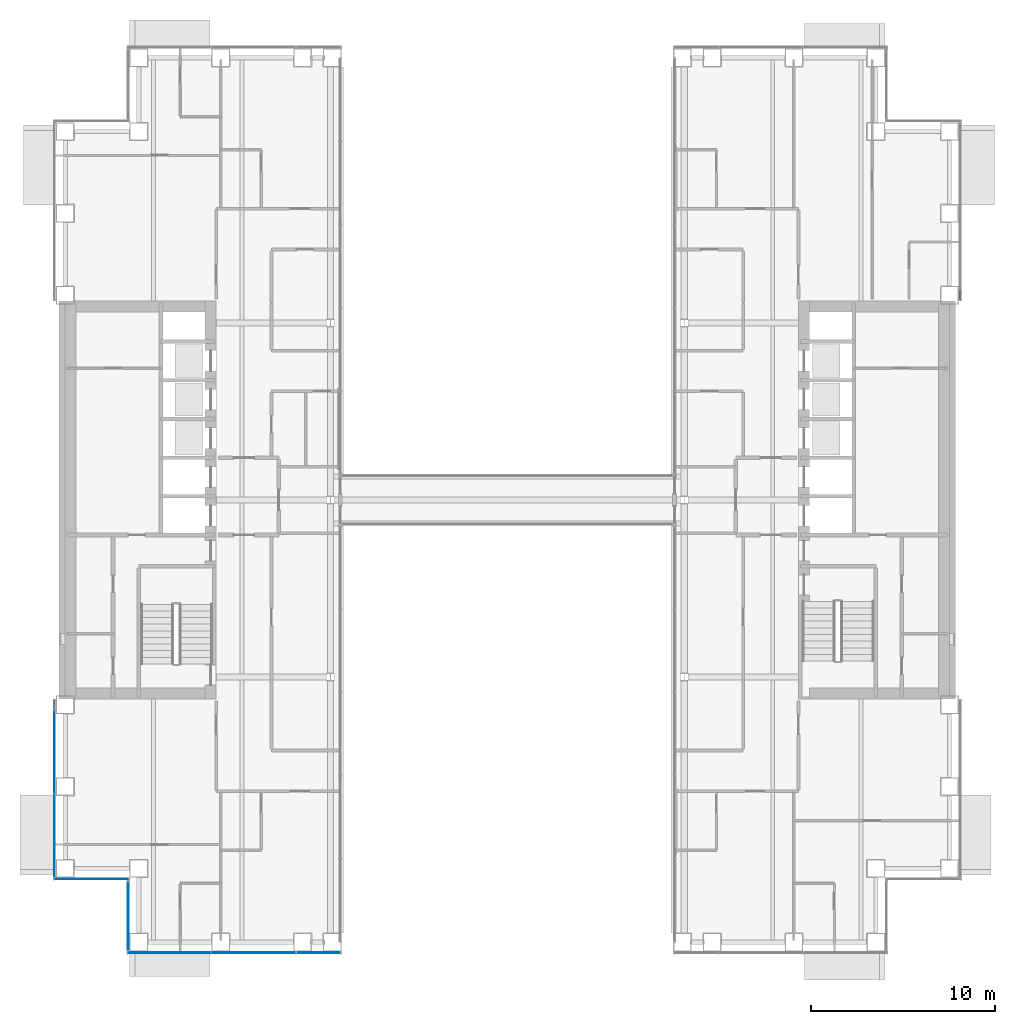
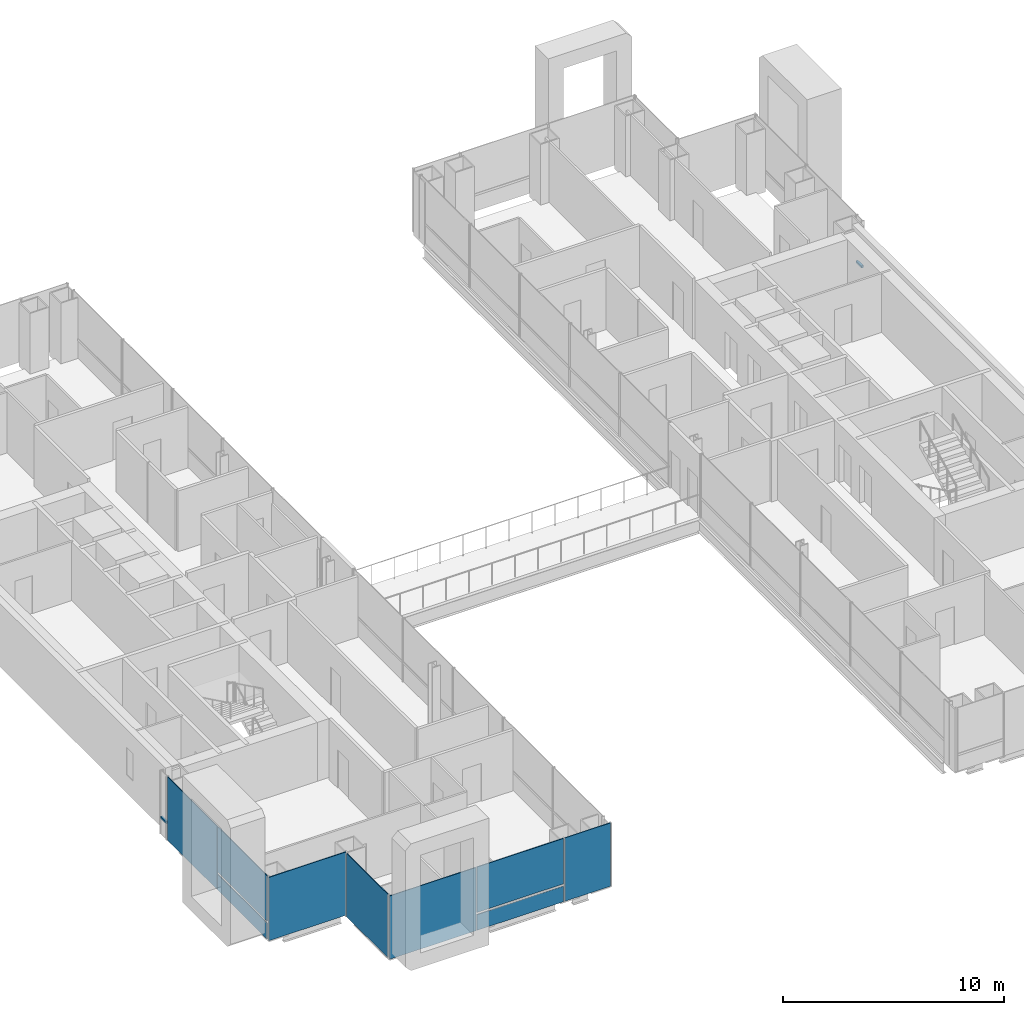
# One storey, part 8 of 21: 9 plates, 2 members, 5 elements without a shape of their own.
"""IFC4 building model written with IfcOpenShell, lengths in metres."""

from ifc_helpers import new_model, si_unit, direction, frame, origin, origin_2d, place, context, subcontext, project, spatial, rectangle, extrude, material, layer, layer_set, material_profile, profile_set, type_object, element, aggregate, save


model = new_model("IFC4")

# Units and contexts
model_context = context("Model", 3, precision=1e-05, world=origin(), true_north=direction((0.0, 1.0)))
body_context = subcontext(model_context, "Body", "Model", "MODEL_VIEW")
ifc_project = project(units=[si_unit("LENGTHUNIT", "METRE"), si_unit("AREAUNIT", "SQUARE_METRE"), si_unit("VOLUMEUNIT", "CUBIC_METRE"), si_unit("PLANEANGLEUNIT", "RADIAN"), si_unit("MASSUNIT", "GRAM", prefix="KILO")], contexts=[model_context])

# Site, building, storey
site_placement = place(None, origin())
site = spatial("IfcSite", under=ifc_project, at=site_placement, CompositionType="ELEMENT")
building_placement = place(site_placement, origin())
building = spatial("IfcBuilding", under=site, at=building_placement, Name="Cobrizo Arcos Hotel Tower", CompositionType="ELEMENT")
storey_placement = place(building_placement, frame((0.0, 0.0, 74.0)))
storey = spatial("IfcBuildingStorey", under=building, at=storey_placement, Name="L17", CompositionType="ELEMENT", Elevation=74.0)

# Curtain wall, member
ifc_material_1 = material(Name="Aluminium 6063-T6 anodised bronze", Category="aluminium")
curtain_wall_type = type_object("IfcCurtainWallType", Name="CW-A guest facade", PredefinedType="NOTDEFINED", material=ifc_material_1)
curtain_wall_1_placement = place(storey_placement, origin())
curtain_wall_1 = element("IfcCurtainWall", 1, at=curtain_wall_1_placement, inside=storey, type_object=curtain_wall_type, Name="CW-A L17 E face", PredefinedType="NOTDEFINED")
ifc_material_profile = material_profile(ifc_material_1, rectangle(XDim=0.10009765625, YDim=0.1201171875, at=origin_2d()), Name="CW-A transom 120x100")
ifc_profile_set = profile_set([ifc_material_profile], Name="Aluminium 6063-T6 anodised bronze")
member_type = type_object("IfcMemberType", Name="CW-A transom 120x100", PredefinedType="USERDEFINED", material=ifc_profile_set)
member_1_placement = place(storey_placement, frame((24.574951171875, 10.860107421875, 0.929931640625), z_axis=(0.0, 1.0, 0.0), x_axis=(-1.0, 0.0, 0.0)))
member_1 = element("IfcMember", 2, at=member_1_placement, type_object=member_type, Name="CW-A transom 728", ObjectType="TRANSOM", PredefinedType="USERDEFINED", context=body_context, shape_type="SweptSolid", body=[
    extrude(rectangle(XDim=0.10009765625, YDim=0.1201171875, at=origin_2d()), origin(), (0.0, 0.0, 1.0), 0.498779296875),
])
aggregate(curtain_wall_1, [member_1])

curtain_wall_2_placement = place(storey_placement, origin())
curtain_wall_2 = element("IfcCurtainWall", 3, at=curtain_wall_2_placement, inside=storey, type_object=curtain_wall_type, Name="CW-A L17 W face", PredefinedType="NOTDEFINED")
member_2_placement = place(storey_placement, frame((-24.574951171875, -10.860107421875, 0.929931640625), z_axis=(0.0, -1.0, 0.0), x_axis=(1.0, 0.0, 0.0)))
member_2 = element("IfcMember", 4, at=member_2_placement, type_object=member_type, Name="CW-A transom 744", ObjectType="TRANSOM", PredefinedType="USERDEFINED", context=body_context, shape_type="SweptSolid", body=[
    extrude(rectangle(XDim=0.10009765625, YDim=0.1201171875, at=origin_2d()), origin(), (0.0, 0.0, 1.0), 0.498779296875),
])

# Curtain wall, plate
curtain_wall_3_placement = place(storey_placement, origin())
curtain_wall_3 = element("IfcCurtainWall", 5, at=curtain_wall_3_placement, inside=storey, type_object=curtain_wall_type, Name="CW-A L17 S face", PredefinedType="NOTDEFINED")
ifc_material_2 = material(Name="Glass clear laminated low-e", Category="glass")
ifc_layer_1 = layer(ifc_material_2, 0.0400390625)
ifc_layer_set_1 = layer_set([ifc_layer_1], Name="CW-A glass panel")
plate_type_1 = type_object("IfcPlateType", Name="CW-A glass panel", PredefinedType="CURTAIN_PANEL", material=ifc_layer_set_1)
plate_1_placement = place(storey_placement, frame((-13.7666015625, -24.574951171875, 0.990234375), z_axis=(0.0, 0.0, 1.0), x_axis=(1.0, 0.0, 0.0)))
plate_1 = element("IfcPlate", 6, at=plate_1_placement, type_object=plate_type_1, Name="CW-A glass panel 718", PredefinedType="CURTAIN_PANEL", context=body_context, shape_type="SweptSolid", body=[
    extrude(rectangle(XDim=4.52880859375, YDim=0.0400390625, at=origin_2d()), origin(), (0.0, 0.0, 1.0), 2.510009765625),
])

# Plate
plate_2_placement = place(storey_placement, frame((-24.574951171875, -18.207275390625, 0.990234375), z_axis=(0.0, 0.0, 1.0), x_axis=(0.0, -1.0, 0.0)))
plate_2 = element("IfcPlate", 7, at=plate_2_placement, type_object=plate_type_1, Name="CW-A glass panel 746", PredefinedType="CURTAIN_PANEL", context=body_context, shape_type="SweptSolid", body=[
    extrude(rectangle(XDim=4.465576171875, YDim=0.0400390625, at=origin_2d()), origin(), (0.0, 0.0, 1.0), 2.510009765625),
])

ifc_material_3 = material(Name="Aluminium composite panel pale metal", Category="aluminium")
ifc_layer_2 = layer(ifc_material_3, 0.0400390625)
ifc_layer_set_2 = layer_set([ifc_layer_2], Name="CW-A spandrel panel")
plate_type_2 = type_object("IfcPlateType", Name="CW-A spandrel panel", PredefinedType="CURTAIN_PANEL", material=ifc_layer_set_2)
plate_3_placement = place(storey_placement, frame((-18.340576171875, -24.574951171875, 0.0), z_axis=(0.0, 0.0, 1.0), x_axis=(1.0, 0.0, 0.0)))
plate_3 = element("IfcPlate", 8, at=plate_3_placement, type_object=plate_type_2, Name="CW-A spandrel panel 717", PredefinedType="CURTAIN_PANEL", context=body_context, shape_type="SweptSolid", body=[
    extrude(rectangle(XDim=4.498779296875, YDim=0.0400390625, at=origin_2d()), origin(), (0.0, 0.0, 1.0), 3.5),
])

plate_4_placement = place(storey_placement, frame((-13.7666015625, -24.574951171875, 0.0), z_axis=(0.0, 0.0, 1.0), x_axis=(1.0, 0.0, 0.0)))
plate_4 = element("IfcPlate", 9, at=plate_4_placement, type_object=plate_type_2, Name="CW-A spandrel panel 718", PredefinedType="CURTAIN_PANEL", context=body_context, shape_type="SweptSolid", body=[
    extrude(rectangle(XDim=4.52880859375, YDim=0.0400390625, at=origin_2d()), origin(), (0.0, 0.0, 1.0), 0.8701171875),
])

plate_5_placement = place(storey_placement, frame((-10.251220703125, -24.574951171875, 0.0), z_axis=(0.0, 0.0, 1.0), x_axis=(1.0, 0.0, 0.0)))
plate_5 = element("IfcPlate", 10, at=plate_5_placement, type_object=plate_type_2, Name="CW-A spandrel panel 719", PredefinedType="CURTAIN_PANEL", context=body_context, shape_type="SweptSolid", body=[
    extrude(rectangle(XDim=2.38232421875, YDim=0.0400390625, at=origin_2d()), origin(), (0.0, 0.0, 1.0), 3.5),
])

aggregate(curtain_wall_3, [plate_3, plate_4, plate_1, plate_5])

plate_6_placement = place(storey_placement, frame((-24.574951171875, -13.666748046875, 0.0), z_axis=(0.0, 0.0, 1.0), x_axis=(0.0, -1.0, 0.0)))
plate_6 = element("IfcPlate", 11, at=plate_6_placement, type_object=plate_type_2, Name="CW-A spandrel panel 745", PredefinedType="CURTAIN_PANEL", context=body_context, shape_type="SweptSolid", body=[
    extrude(rectangle(XDim=4.49560546875, YDim=0.0400390625, at=origin_2d()), origin(), (0.0, 0.0, 1.0), 3.5),
])

plate_7_placement = place(storey_placement, frame((-24.574951171875, -18.207275390625, 0.0), z_axis=(0.0, 0.0, 1.0), x_axis=(0.0, -1.0, 0.0)))
plate_7 = element("IfcPlate", 12, at=plate_7_placement, type_object=plate_type_2, Name="CW-A spandrel panel 746", PredefinedType="CURTAIN_PANEL", context=body_context, shape_type="SweptSolid", body=[
    extrude(rectangle(XDim=4.465576171875, YDim=0.0400390625, at=origin_2d()), origin(), (0.0, 0.0, 1.0), 0.8701171875),
])

aggregate(curtain_wall_2, [member_2, plate_6, plate_7, plate_2])

# Curtain wall, plate
curtain_wall_4_placement = place(storey_placement, origin())
curtain_wall_4 = element("IfcCurtainWall", 13, at=curtain_wall_4_placement, inside=storey, type_object=curtain_wall_type, Name="CW-A L17 S face", PredefinedType="NOTDEFINED")
plate_8_placement = place(storey_placement, frame((-22.574951171875, -20.574951171875, 0.0), z_axis=(0.0, 0.0, 1.0), x_axis=(1.0, 0.0, 0.0)))
plate_8 = element("IfcPlate", 14, at=plate_8_placement, type_object=plate_type_2, Name="CW-A spandrel panel 747", PredefinedType="CURTAIN_PANEL", context=body_context, shape_type="SweptSolid", body=[
    extrude(rectangle(XDim=4.030029296875, YDim=0.0400390625, at=origin_2d()), origin(), (0.0, 0.0, 1.0), 3.5),
])
aggregate(curtain_wall_4, [plate_8])

curtain_wall_5_placement = place(storey_placement, origin())
curtain_wall_5 = element("IfcCurtainWall", 15, at=curtain_wall_5_placement, inside=storey, type_object=curtain_wall_type, Name="CW-A L17 W face", PredefinedType="NOTDEFINED")
plate_9_placement = place(storey_placement, frame((-20.574951171875, -22.574951171875, 0.0), z_axis=(0.0, 0.0, 1.0), x_axis=(0.0, -1.0, 0.0)))
plate_9 = element("IfcPlate", 16, at=plate_9_placement, type_object=plate_type_2, Name="CW-A spandrel panel 748", PredefinedType="CURTAIN_PANEL", context=body_context, shape_type="SweptSolid", body=[
    extrude(rectangle(XDim=3.72998046875, YDim=0.0400390625, at=origin_2d()), origin(), (0.0, 0.0, 1.0), 3.5),
])
aggregate(curtain_wall_5, [plate_9])

save(model, "model.ifc")
